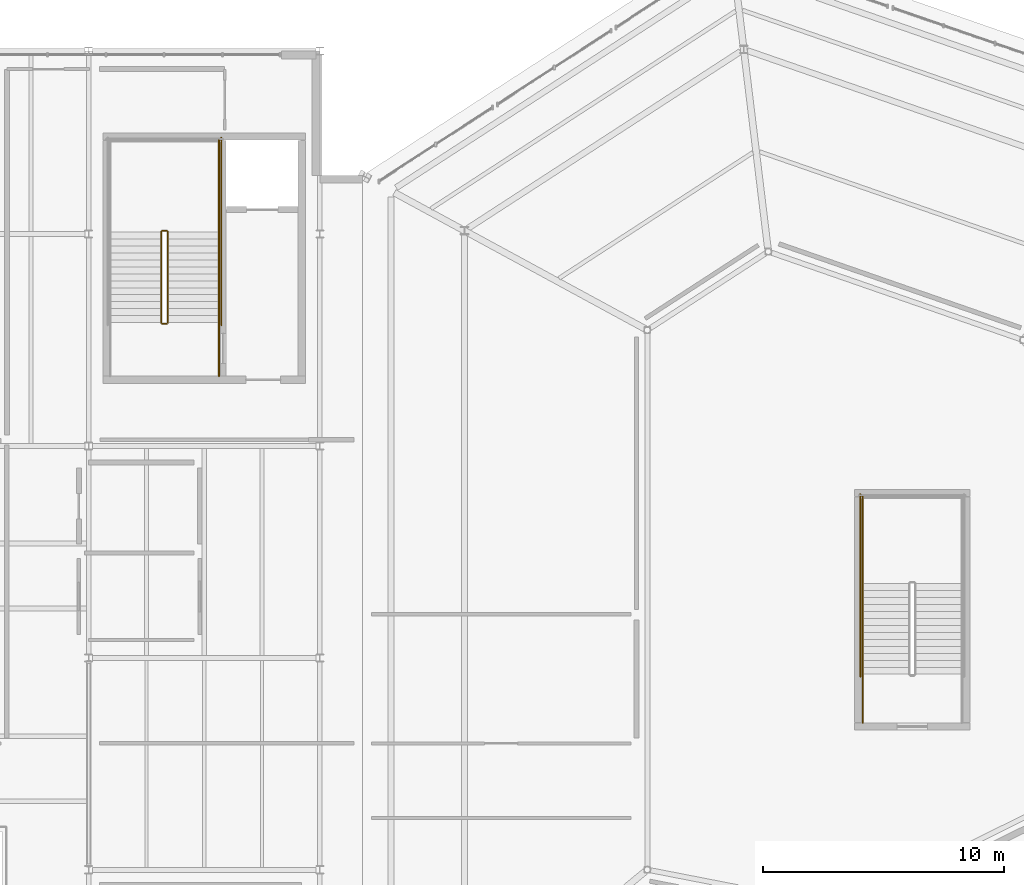
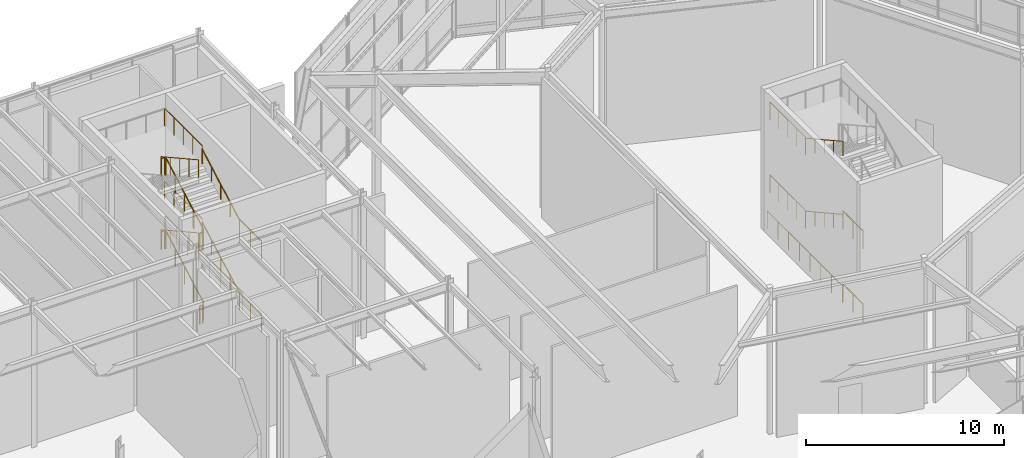
# One storey, part 46 of 48: 22 railings.
"""IFC4 building model written with IfcOpenShell, lengths in metres."""

from ifc_helpers import new_model, si_unit, direction, frame, origin, origin_2d, place, context, subcontext, project, spatial, circle, extrude, material, layer, layer_set, type_object, element, save


model = new_model("IFC4")

# Units and contexts
model_context = context("Model", 3, precision=1e-05, world=origin(), true_north=direction((0.0, 1.0)))
body_context = subcontext(model_context, "Body", "Model", "MODEL_VIEW")
ifc_project = project(units=[si_unit("LENGTHUNIT", "METRE"), si_unit("AREAUNIT", "SQUARE_METRE"), si_unit("VOLUMEUNIT", "CUBIC_METRE"), si_unit("PLANEANGLEUNIT", "RADIAN"), si_unit("MASSUNIT", "GRAM", prefix="KILO")], contexts=[model_context])

# Site, building, storey
site_placement = place(None, origin())
site = spatial("IfcSite", under=ifc_project, at=site_placement, CompositionType="ELEMENT")
building_placement = place(site_placement, origin())
building = spatial("IfcBuilding", under=site, at=building_placement, Name="Sarnbrook Museum", CompositionType="ELEMENT")
storey_placement = place(building_placement, frame((0.0, 0.0, 19.10009765625)))
storey = spatial("IfcBuildingStorey", under=building, at=storey_placement, Name="L04", CompositionType="ELEMENT", Elevation=19.10009765625)

# Railings
ifc_material = material(Name="Brushed Stainless Steel Grade 316", Category="steel")
ifc_layer_1 = layer(ifc_material, 0.050048828125)
ifc_layer_set_1 = layer_set([ifc_layer_1], Name="Brushed Stainless Steel Grade 316")
railing_type_1 = type_object("IfcRailingType", Name="Guard_Int1120", PredefinedType="BALUSTRADE", material=ifc_layer_set_1)
railing_1_placement = place(storey_placement, frame((112.889892578125, 97.1201171875, 0.16064453125)))
element("IfcRailing", 1, at=railing_1_placement, inside=storey, type_object=railing_type_1, Name="L04 ST2 stair guard 1", PredefinedType="BALUSTRADE", context=body_context, shape_type="SweptSolid", body=[
    extrude(circle(Radius=0.02392578125, at=origin_2d()), frame((0.0, 0.0, 1.09619140625), z_axis=(0.0, 0.874645791573, 0.484762559697), x_axis=(-1.0, 0.0, 0.0)), (0.0, 0.0, 1.0), 4.31005859375),
    extrude(circle(Radius=0.02099609375, at=origin_2d()), origin(), (0.0, 0.0, 1.0), 1.072021484375),
    extrude(circle(Radius=0.02099609375, at=origin_2d()), frame((0.0, 0.9423828125, 0.5224609375)), (0.0, 0.0, 1.0), 1.072021484375),
    extrude(circle(Radius=0.02099609375, at=origin_2d()), frame((0.0, 1.884765625, 1.044677734375)), (0.0, 0.0, 1.0), 1.072021484375),
    extrude(circle(Radius=0.02099609375, at=origin_2d()), frame((0.0, 2.827392578125, 1.56689453125)), (0.0, 0.0, 1.0), 1.072021484375),
    extrude(circle(Radius=0.02099609375, at=origin_2d()), frame((0.0, 3.769775390625, 2.08935546875)), (0.0, 0.0, 1.0), 1.072021484375),
])
railing_2_placement = place(storey_placement, frame((112.840087890625, 100.93994140625, 2.25)))
element("IfcRailing", 2, at=railing_2_placement, inside=storey, type_object=railing_type_1, Name="L04 ST2 stair guard 2", PredefinedType="BALUSTRADE", context=body_context, shape_type="SweptSolid", body=[
    extrude(circle(Radius=0.02392578125, at=origin_2d()), frame((0.0, 0.0, 1.09619140625), z_axis=(-1.0, 0.0, 0.0), x_axis=(0.0, -1.0, 0.0)), (0.0, 0.0, 1.0), 0.18017578125),
    extrude(circle(Radius=0.02099609375, at=origin_2d()), origin(), (0.0, 0.0, 1.0), 1.072021484375),
    extrude(circle(Radius=0.02099609375, at=origin_2d()), frame((-0.18017578125, 0.0, 0.0)), (0.0, 0.0, 1.0), 1.072021484375),
])
railing_3_placement = place(storey_placement, frame((115.010009765625, 100.889892578125, 2.25)))
element("IfcRailing", 3, at=railing_3_placement, inside=storey, type_object=railing_type_1, Name="L04 ST2 stair guard 3", PredefinedType="BALUSTRADE", context=body_context, shape_type="SweptSolid", body=[
    extrude(circle(Radius=0.02392578125, at=origin_2d()), frame((0.0, 0.0, 1.09619140625), z_axis=(0.0, 1.0, 0.0), x_axis=(-1.0, 0.0, 0.0)), (0.0, 0.0, 1.0), 3.81005859375),
    extrude(circle(Radius=0.02099609375, at=origin_2d()), origin(), (0.0, 0.0, 1.0), 1.072021484375),
    extrude(circle(Radius=0.02099609375, at=origin_2d()), frame((0.0, 0.95263671875, 0.0)), (0.0, 0.0, 1.0), 1.072021484375),
    extrude(circle(Radius=0.02099609375, at=origin_2d()), frame((0.0, 1.905029296875, 0.0)), (0.0, 0.0, 1.0), 1.072021484375),
    extrude(circle(Radius=0.02099609375, at=origin_2d()), frame((0.0, 2.857421875, 0.0)), (0.0, 0.0, 1.0), 1.072021484375),
    extrude(circle(Radius=0.02099609375, at=origin_2d()), frame((0.0, 3.81005859375, 0.0)), (0.0, 0.0, 1.0), 1.072021484375),
])
railing_4_placement = place(storey_placement, frame((112.610107421875, 100.889892578125, 2.41064453125)))
element("IfcRailing", 4, at=railing_4_placement, inside=storey, type_object=railing_type_1, Name="L04 ST2 stair guard 6", PredefinedType="BALUSTRADE", context=body_context, shape_type="SweptSolid", body=[
    extrude(circle(Radius=0.02392578125, at=origin_2d()), frame((0.0, 0.0, 1.09619140625), z_axis=(0.0, -0.874645791573, 0.484762559697), x_axis=(1.0, 0.0, 0.0)), (0.0, 0.0, 1.0), 4.31005859375),
    extrude(circle(Radius=0.02099609375, at=origin_2d()), origin(), (0.0, 0.0, 1.0), 1.072021484375),
    extrude(circle(Radius=0.02099609375, at=origin_2d()), frame((0.0, -0.9423828125, 0.5224609375)), (0.0, 0.0, 1.0), 1.072021484375),
    extrude(circle(Radius=0.02099609375, at=origin_2d()), frame((0.0, -1.884765625, 1.044677734375)), (0.0, 0.0, 1.0), 1.072021484375),
    extrude(circle(Radius=0.02099609375, at=origin_2d()), frame((0.0, -2.827392578125, 1.56689453125)), (0.0, 0.0, 1.0), 1.072021484375),
    extrude(circle(Radius=0.02099609375, at=origin_2d()), frame((0.0, -3.769775390625, 2.08935546875)), (0.0, 0.0, 1.0), 1.072021484375),
])
railing_5_placement = place(storey_placement, frame((112.840087890625, 97.070068359375, 4.5)))
element("IfcRailing", 5, at=railing_5_placement, inside=storey, type_object=railing_type_1, Name="L04 ST2 stair guard 7", PredefinedType="BALUSTRADE", context=body_context, shape_type="SweptSolid", body=[
    extrude(circle(Radius=0.02392578125, at=origin_2d()), frame((0.0, 0.0, 1.09619140625), z_axis=(-1.0, 0.0, 0.0), x_axis=(0.0, -1.0, 0.0)), (0.0, 0.0, 1.0), 0.18017578125),
    extrude(circle(Radius=0.02099609375, at=origin_2d()), origin(), (0.0, 0.0, 1.0), 1.072021484375),
    extrude(circle(Radius=0.02099609375, at=origin_2d()), frame((-0.18017578125, 0.0, 0.0)), (0.0, 0.0, 1.0), 1.072021484375),
])
railing_6_placement = place(storey_placement, frame((115.010009765625, 94.89990234375, 4.5)))
element("IfcRailing", 6, at=railing_6_placement, inside=storey, type_object=railing_type_1, Name="L04 ST2 stair guard 8", PredefinedType="BALUSTRADE", context=body_context, shape_type="SweptSolid", body=[
    extrude(circle(Radius=0.02392578125, at=origin_2d()), frame((0.0, 0.0, 1.09619140625), z_axis=(0.0, 1.0, 0.0), x_axis=(-1.0, 0.0, 0.0)), (0.0, 0.0, 1.0), 2.22021484375),
    extrude(circle(Radius=0.02099609375, at=origin_2d()), origin(), (0.0, 0.0, 1.0), 1.072021484375),
    extrude(circle(Radius=0.02099609375, at=origin_2d()), frame((0.0, 1.110107421875, 0.0)), (0.0, 0.0, 1.0), 1.072021484375),
    extrude(circle(Radius=0.02099609375, at=origin_2d()), frame((0.0, 2.22021484375, 0.0)), (0.0, 0.0, 1.0), 1.072021484375),
])
railing_7_placement = place(storey_placement, frame((112.889892578125, 97.1201171875, 4.66064453125)))
element("IfcRailing", 7, at=railing_7_placement, inside=storey, type_object=railing_type_1, Name="L04 ST2 stair guard 10", PredefinedType="BALUSTRADE", context=body_context, shape_type="SweptSolid", body=[
    extrude(circle(Radius=0.02392578125, at=origin_2d()), frame((0.0, 0.0, 1.09619140625), z_axis=(0.0, 0.874645791573, 0.484762559697), x_axis=(-1.0, 0.0, 0.0)), (0.0, 0.0, 1.0), 4.31005859375),
    extrude(circle(Radius=0.02099609375, at=origin_2d()), origin(), (0.0, 0.0, 1.0), 1.072021484375),
    extrude(circle(Radius=0.02099609375, at=origin_2d()), frame((0.0, 0.9423828125, 0.5224609375)), (0.0, 0.0, 1.0), 1.072021484375),
    extrude(circle(Radius=0.02099609375, at=origin_2d()), frame((0.0, 1.884765625, 1.044677734375)), (0.0, 0.0, 1.0), 1.072021484375),
    extrude(circle(Radius=0.02099609375, at=origin_2d()), frame((0.0, 2.827392578125, 1.56689453125)), (0.0, 0.0, 1.0), 1.072021484375),
    extrude(circle(Radius=0.02099609375, at=origin_2d()), frame((0.0, 3.769775390625, 2.08935546875)), (0.0, 0.0, 1.0), 1.072021484375),
])
railing_8_placement = place(storey_placement, frame((112.840087890625, 100.93994140625, 6.75)))
element("IfcRailing", 8, at=railing_8_placement, inside=storey, type_object=railing_type_1, Name="L04 ST2 stair guard 11", PredefinedType="BALUSTRADE", context=body_context, shape_type="SweptSolid", body=[
    extrude(circle(Radius=0.02392578125, at=origin_2d()), frame((0.0, 0.0, 1.09619140625), z_axis=(-1.0, 0.0, 0.0), x_axis=(0.0, -1.0, 0.0)), (0.0, 0.0, 1.0), 0.18017578125),
    extrude(circle(Radius=0.02099609375, at=origin_2d()), origin(), (0.0, 0.0, 1.0), 1.072021484375),
    extrude(circle(Radius=0.02099609375, at=origin_2d()), frame((-0.18017578125, 0.0, 0.0)), (0.0, 0.0, 1.0), 1.072021484375),
])
railing_9_placement = place(storey_placement, frame((115.010009765625, 100.889892578125, 6.75)))
element("IfcRailing", 9, at=railing_9_placement, inside=storey, type_object=railing_type_1, Name="L04 ST2 stair guard 12", PredefinedType="BALUSTRADE", context=body_context, shape_type="SweptSolid", body=[
    extrude(circle(Radius=0.02392578125, at=origin_2d()), frame((0.0, 0.0, 1.09619140625), z_axis=(0.0, 1.0, 0.0), x_axis=(-1.0, 0.0, 0.0)), (0.0, 0.0, 1.0), 3.81005859375),
    extrude(circle(Radius=0.02099609375, at=origin_2d()), origin(), (0.0, 0.0, 1.0), 1.072021484375),
    extrude(circle(Radius=0.02099609375, at=origin_2d()), frame((0.0, 0.95263671875, 0.0)), (0.0, 0.0, 1.0), 1.072021484375),
    extrude(circle(Radius=0.02099609375, at=origin_2d()), frame((0.0, 1.905029296875, 0.0)), (0.0, 0.0, 1.0), 1.072021484375),
    extrude(circle(Radius=0.02099609375, at=origin_2d()), frame((0.0, 2.857421875, 0.0)), (0.0, 0.0, 1.0), 1.072021484375),
    extrude(circle(Radius=0.02099609375, at=origin_2d()), frame((0.0, 3.81005859375, 0.0)), (0.0, 0.0, 1.0), 1.072021484375),
])
railing_10_placement = place(storey_placement, frame((112.610107421875, 100.889892578125, 6.91064453125)))
element("IfcRailing", 10, at=railing_10_placement, inside=storey, type_object=railing_type_1, Name="L04 ST2 stair guard 15", PredefinedType="BALUSTRADE", context=body_context, shape_type="SweptSolid", body=[
    extrude(circle(Radius=0.02392578125, at=origin_2d()), frame((0.0, 0.0, 1.09619140625), z_axis=(0.0, -0.874645791573, 0.484762559697), x_axis=(1.0, 0.0, 0.0)), (0.0, 0.0, 1.0), 4.31005859375),
    extrude(circle(Radius=0.02099609375, at=origin_2d()), origin(), (0.0, 0.0, 1.0), 1.072021484375),
    extrude(circle(Radius=0.02099609375, at=origin_2d()), frame((0.0, -0.9423828125, 0.5224609375)), (0.0, 0.0, 1.0), 1.072021484375),
    extrude(circle(Radius=0.02099609375, at=origin_2d()), frame((0.0, -1.884765625, 1.044677734375)), (0.0, 0.0, 1.0), 1.072021484375),
    extrude(circle(Radius=0.02099609375, at=origin_2d()), frame((0.0, -2.827392578125, 1.56689453125)), (0.0, 0.0, 1.0), 1.072021484375),
    extrude(circle(Radius=0.02099609375, at=origin_2d()), frame((0.0, -3.769775390625, 2.08935546875)), (0.0, 0.0, 1.0), 1.072021484375),
])
railing_11_placement = place(storey_placement, frame((112.840087890625, 97.070068359375, 0.0)))
element("IfcRailing", 11, at=railing_11_placement, inside=storey, type_object=railing_type_1, Name="L04 ST2 stair guard 16", PredefinedType="BALUSTRADE", context=body_context, shape_type="SweptSolid", body=[
    extrude(circle(Radius=0.02392578125, at=origin_2d()), frame((0.0, 0.0, 1.09619140625), z_axis=(-1.0, 0.0, 0.0), x_axis=(0.0, -1.0, 0.0)), (0.0, 0.0, 1.0), 0.18017578125),
    extrude(circle(Radius=0.02099609375, at=origin_2d()), origin(), (0.0, 0.0, 1.0), 1.072021484375),
    extrude(circle(Radius=0.02099609375, at=origin_2d()), frame((-0.18017578125, 0.0, 0.0)), (0.0, 0.0, 1.0), 1.072021484375),
])
railing_12_placement = place(storey_placement, frame((115.010009765625, 94.89990234375, 0.0)))
element("IfcRailing", 12, at=railing_12_placement, inside=storey, type_object=railing_type_1, Name="L04 ST2 stair guard 17", PredefinedType="BALUSTRADE", context=body_context, shape_type="SweptSolid", body=[
    extrude(circle(Radius=0.02392578125, at=origin_2d()), frame((0.0, 0.0, 1.09619140625), z_axis=(0.0, 1.0, 0.0), x_axis=(-1.0, 0.0, 0.0)), (0.0, 0.0, 1.0), 2.22021484375),
    extrude(circle(Radius=0.02099609375, at=origin_2d()), origin(), (0.0, 0.0, 1.0), 1.072021484375),
    extrude(circle(Radius=0.02099609375, at=origin_2d()), frame((0.0, 1.110107421875, 0.0)), (0.0, 0.0, 1.0), 1.072021484375),
    extrude(circle(Radius=0.02099609375, at=origin_2d()), frame((0.0, 2.22021484375, 0.0)), (0.0, 0.0, 1.0), 1.072021484375),
])
railing_13_placement = place(storey_placement, frame((115.110107421875, 97.02001953125, 0.0)))
element("IfcRailing", 13, at=railing_13_placement, inside=storey, type_object=railing_type_1, Name="L04 ST2 stair guard 19", PredefinedType="BALUSTRADE", context=body_context, shape_type="SweptSolid", body=[
    extrude(circle(Radius=0.02392578125, at=origin_2d()), frame((0.0, 0.0, 1.09619140625), z_axis=(0.0, 1.0, 0.0), x_axis=(-1.0, 0.0, 0.0)), (0.0, 0.0, 1.0), 7.780029296875),
    extrude(circle(Radius=0.02099609375, at=origin_2d()), origin(), (0.0, 0.0, 1.0), 1.072021484375),
    extrude(circle(Radius=0.02099609375, at=origin_2d()), frame((0.0, 1.111328125, 0.0)), (0.0, 0.0, 1.0), 1.072021484375),
    extrude(circle(Radius=0.02099609375, at=origin_2d()), frame((0.0, 2.222900390625, 0.0)), (0.0, 0.0, 1.0), 1.072021484375),
    extrude(circle(Radius=0.02099609375, at=origin_2d()), frame((0.0, 3.334228515625, 0.0)), (0.0, 0.0, 1.0), 1.072021484375),
    extrude(circle(Radius=0.02099609375, at=origin_2d()), frame((0.0, 4.44580078125, 0.0)), (0.0, 0.0, 1.0), 1.072021484375),
    extrude(circle(Radius=0.02099609375, at=origin_2d()), frame((0.0, 5.55712890625, 0.0)), (0.0, 0.0, 1.0), 1.072021484375),
    extrude(circle(Radius=0.02099609375, at=origin_2d()), frame((0.0, 6.668701171875, 0.0)), (0.0, 0.0, 1.0), 1.072021484375),
    extrude(circle(Radius=0.02099609375, at=origin_2d()), frame((0.0, 7.780029296875, 0.0)), (0.0, 0.0, 1.0), 1.072021484375),
])
railing_14_placement = place(storey_placement, frame((141.75, 86.2900390625, 2.25)))
element("IfcRailing", 14, at=railing_14_placement, inside=storey, type_object=railing_type_1, Name="L04 ST7 stair guard 4", PredefinedType="BALUSTRADE", context=body_context, shape_type="SweptSolid", body=[
    extrude(circle(Radius=0.02392578125, at=origin_2d()), frame((0.0, 0.0, 1.09619140625), z_axis=(0.0, 1.0, 0.0), x_axis=(-1.0, 0.0, 0.0)), (0.0, 0.0, 1.0), 3.60986328125),
    extrude(circle(Radius=0.02099609375, at=origin_2d()), origin(), (0.0, 0.0, 1.0), 1.072021484375),
    extrude(circle(Radius=0.02099609375, at=origin_2d()), frame((0.0, 0.90234375, 0.0)), (0.0, 0.0, 1.0), 1.072021484375),
    extrude(circle(Radius=0.02099609375, at=origin_2d()), frame((0.0, 1.804931640625, 0.0)), (0.0, 0.0, 1.0), 1.072021484375),
    extrude(circle(Radius=0.02099609375, at=origin_2d()), frame((0.0, 2.70751953125, 0.0)), (0.0, 0.0, 1.0), 1.072021484375),
    extrude(circle(Radius=0.02099609375, at=origin_2d()), frame((0.0, 3.60986328125, 0.0)), (0.0, 0.0, 1.0), 1.072021484375),
])
railing_15_placement = place(storey_placement, frame((141.75, 80.5, 4.5)))
element("IfcRailing", 15, at=railing_15_placement, inside=storey, type_object=railing_type_1, Name="L04 ST7 stair guard 9", PredefinedType="BALUSTRADE", context=body_context, shape_type="SweptSolid", body=[
    extrude(circle(Radius=0.02392578125, at=origin_2d()), frame((0.0, 0.0, 1.09619140625), z_axis=(0.0, 1.0, 0.0), x_axis=(-1.0, 0.0, 0.0)), (0.0, 0.0, 1.0), 2.02001953125),
    extrude(circle(Radius=0.02099609375, at=origin_2d()), origin(), (0.0, 0.0, 1.0), 1.072021484375),
    extrude(circle(Radius=0.02099609375, at=origin_2d()), frame((0.0, 1.010009765625, 0.0)), (0.0, 0.0, 1.0), 1.072021484375),
    extrude(circle(Radius=0.02099609375, at=origin_2d()), frame((0.0, 2.02001953125, 0.0)), (0.0, 0.0, 1.0), 1.072021484375),
])
railing_16_placement = place(storey_placement, frame((141.75, 86.2900390625, 6.75)))
element("IfcRailing", 16, at=railing_16_placement, inside=storey, type_object=railing_type_1, Name="L04 ST7 stair guard 13", PredefinedType="BALUSTRADE", context=body_context, shape_type="SweptSolid", body=[
    extrude(circle(Radius=0.02392578125, at=origin_2d()), frame((0.0, 0.0, 1.09619140625), z_axis=(0.0, 1.0, 0.0), x_axis=(-1.0, 0.0, 0.0)), (0.0, 0.0, 1.0), 3.60986328125),
    extrude(circle(Radius=0.02099609375, at=origin_2d()), origin(), (0.0, 0.0, 1.0), 1.072021484375),
    extrude(circle(Radius=0.02099609375, at=origin_2d()), frame((0.0, 0.90234375, 0.0)), (0.0, 0.0, 1.0), 1.072021484375),
    extrude(circle(Radius=0.02099609375, at=origin_2d()), frame((0.0, 1.804931640625, 0.0)), (0.0, 0.0, 1.0), 1.072021484375),
    extrude(circle(Radius=0.02099609375, at=origin_2d()), frame((0.0, 2.70751953125, 0.0)), (0.0, 0.0, 1.0), 1.072021484375),
    extrude(circle(Radius=0.02099609375, at=origin_2d()), frame((0.0, 3.60986328125, 0.0)), (0.0, 0.0, 1.0), 1.072021484375),
])
railing_17_placement = place(storey_placement, frame((141.75, 80.5, 0.0)))
element("IfcRailing", 17, at=railing_17_placement, inside=storey, type_object=railing_type_1, Name="L04 ST7 stair guard 18", PredefinedType="BALUSTRADE", context=body_context, shape_type="SweptSolid", body=[
    extrude(circle(Radius=0.02392578125, at=origin_2d()), frame((0.0, 0.0, 1.09619140625), z_axis=(0.0, 1.0, 0.0), x_axis=(-1.0, 0.0, 0.0)), (0.0, 0.0, 1.0), 2.02001953125),
    extrude(circle(Radius=0.02099609375, at=origin_2d()), origin(), (0.0, 0.0, 1.0), 1.072021484375),
    extrude(circle(Radius=0.02099609375, at=origin_2d()), frame((0.0, 1.010009765625, 0.0)), (0.0, 0.0, 1.0), 1.072021484375),
    extrude(circle(Radius=0.02099609375, at=origin_2d()), frame((0.0, 2.02001953125, 0.0)), (0.0, 0.0, 1.0), 1.072021484375),
])
railing_18_placement = place(storey_placement, frame((141.64990234375, 82.419921875, 0.0)))
element("IfcRailing", 18, at=railing_18_placement, inside=storey, type_object=railing_type_1, Name="L04 ST7 stair guard 20", PredefinedType="BALUSTRADE", context=body_context, shape_type="SweptSolid", body=[
    extrude(circle(Radius=0.02392578125, at=origin_2d()), frame((0.0, 0.0, 1.09619140625), z_axis=(0.0, 1.0, 0.0), x_axis=(-1.0, 0.0, 0.0)), (0.0, 0.0, 1.0), 7.580078125),
    extrude(circle(Radius=0.02099609375, at=origin_2d()), origin(), (0.0, 0.0, 1.0), 1.072021484375),
    extrude(circle(Radius=0.02099609375, at=origin_2d()), frame((0.0, 1.082763671875, 0.0)), (0.0, 0.0, 1.0), 1.072021484375),
    extrude(circle(Radius=0.02099609375, at=origin_2d()), frame((0.0, 2.165771484375, 0.0)), (0.0, 0.0, 1.0), 1.072021484375),
    extrude(circle(Radius=0.02099609375, at=origin_2d()), frame((0.0, 3.24853515625, 0.0)), (0.0, 0.0, 1.0), 1.072021484375),
    extrude(circle(Radius=0.02099609375, at=origin_2d()), frame((0.0, 4.33154296875, 0.0)), (0.0, 0.0, 1.0), 1.072021484375),
    extrude(circle(Radius=0.02099609375, at=origin_2d()), frame((0.0, 5.414306640625, 0.0)), (0.0, 0.0, 1.0), 1.072021484375),
    extrude(circle(Radius=0.02099609375, at=origin_2d()), frame((0.0, 6.497314453125, 0.0)), (0.0, 0.0, 1.0), 1.072021484375),
    extrude(circle(Radius=0.02099609375, at=origin_2d()), frame((0.0, 7.580078125, 0.0)), (0.0, 0.0, 1.0), 1.072021484375),
])
ifc_layer_2 = layer(ifc_material, 0.048095703125)
ifc_layer_set_2 = layer_set([ifc_layer_2], Name="Brushed Stainless Steel Grade 316")
railing_type_2 = type_object("IfcRailingType", Name="Handrail_920", PredefinedType="HANDRAIL", material=ifc_layer_set_2)
for number, where, name in (
    (19, (115.010009765625, 97.1201171875, 0.16064453125), "L04 ST2 stair handrail 1"),
    (20, (115.010009765625, 97.1201171875, 4.66064453125), "L04 ST2 stair handrail 3"),
):
    element("IfcRailing", number, at=place(storey_placement, frame(where)), inside=storey, type_object=railing_type_2, Name=name, PredefinedType="HANDRAIL", context=body_context, shape_type="SweptSolid", body=[
        extrude(circle(Radius=0.02392578125, at=origin_2d()), frame((0.0, 0.0, 0.8857421875), z_axis=(0.0, 0.874645791573, 0.484762559697), x_axis=(-1.0, 0.0, 0.0)), (0.0, 0.0, 1.0), 4.31005859375),
        extrude(circle(Radius=0.02099609375, at=origin_2d()), origin(), (0.0, 0.0, 1.0), 0.86181640625),
        extrude(circle(Radius=0.02099609375, at=origin_2d()), frame((0.0, 0.9423828125, 0.5224609375)), (0.0, 0.0, 1.0), 0.86181640625),
        extrude(circle(Radius=0.02099609375, at=origin_2d()), frame((0.0, 1.884765625, 1.044677734375)), (0.0, 0.0, 1.0), 0.86181640625),
        extrude(circle(Radius=0.02099609375, at=origin_2d()), frame((0.0, 2.827392578125, 1.56689453125)), (0.0, 0.0, 1.0), 0.86181640625),
        extrude(circle(Radius=0.02099609375, at=origin_2d()), frame((0.0, 3.769775390625, 2.08935546875)), (0.0, 0.0, 1.0), 0.86181640625),
    ])
for number, where, name in (
    (21, (141.75, 86.2900390625, 2.41064453125), "L04 ST7 stair handrail 2"),
    (22, (141.75, 86.2900390625, 6.91064453125), "L04 ST7 stair handrail 4"),
):
    element("IfcRailing", number, at=place(storey_placement, frame(where)), inside=storey, type_object=railing_type_2, Name=name, PredefinedType="HANDRAIL", context=body_context, shape_type="SweptSolid", body=[
        extrude(circle(Radius=0.02392578125, at=origin_2d()), frame((0.0, 0.0, 0.8857421875), z_axis=(0.0, -0.874659101714, 0.484738543742), x_axis=(1.0, 0.0, 0.0)), (0.0, 0.0, 1.0), 4.310302734375),
        extrude(circle(Radius=0.02099609375, at=origin_2d()), origin(), (0.0, 0.0, 1.0), 0.86181640625),
        extrude(circle(Radius=0.02099609375, at=origin_2d()), frame((0.0, -0.9423828125, 0.5224609375)), (0.0, 0.0, 1.0), 0.86181640625),
        extrude(circle(Radius=0.02099609375, at=origin_2d()), frame((0.0, -1.885009765625, 1.044677734375)), (0.0, 0.0, 1.0), 0.86181640625),
        extrude(circle(Radius=0.02099609375, at=origin_2d()), frame((0.0, -2.82763671875, 1.56689453125)), (0.0, 0.0, 1.0), 0.86181640625),
        extrude(circle(Radius=0.02099609375, at=origin_2d()), frame((0.0, -3.77001953125, 2.08935546875)), (0.0, 0.0, 1.0), 0.86181640625),
    ])

save(model, "model.ifc")
